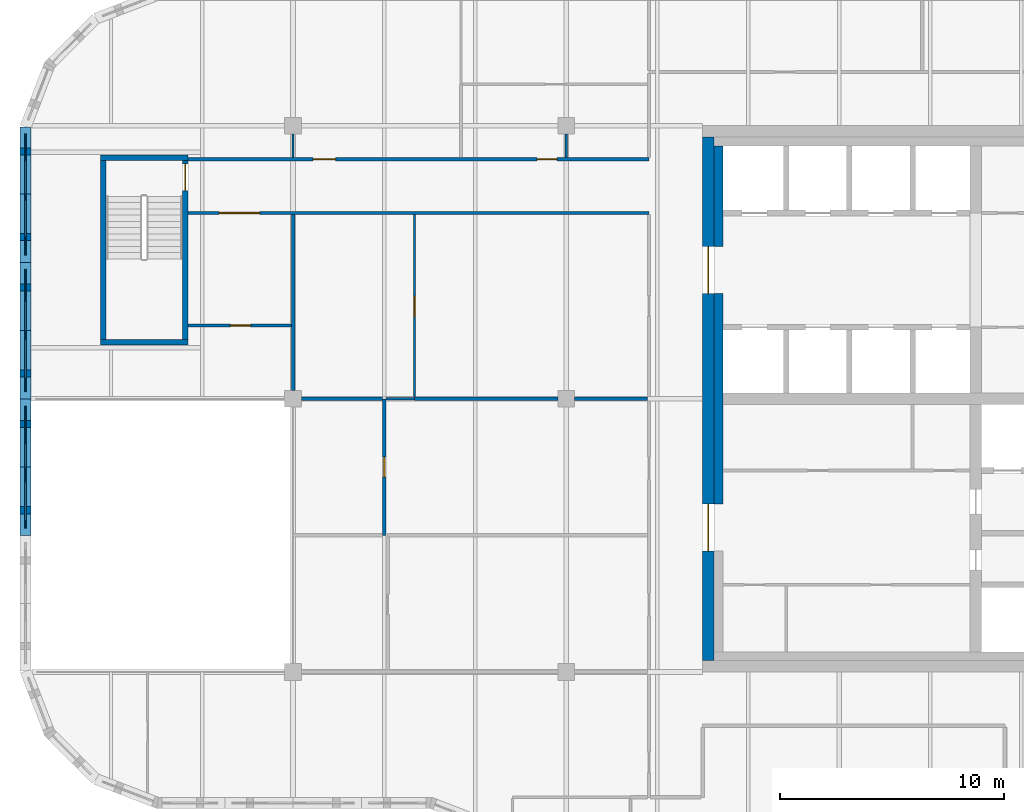
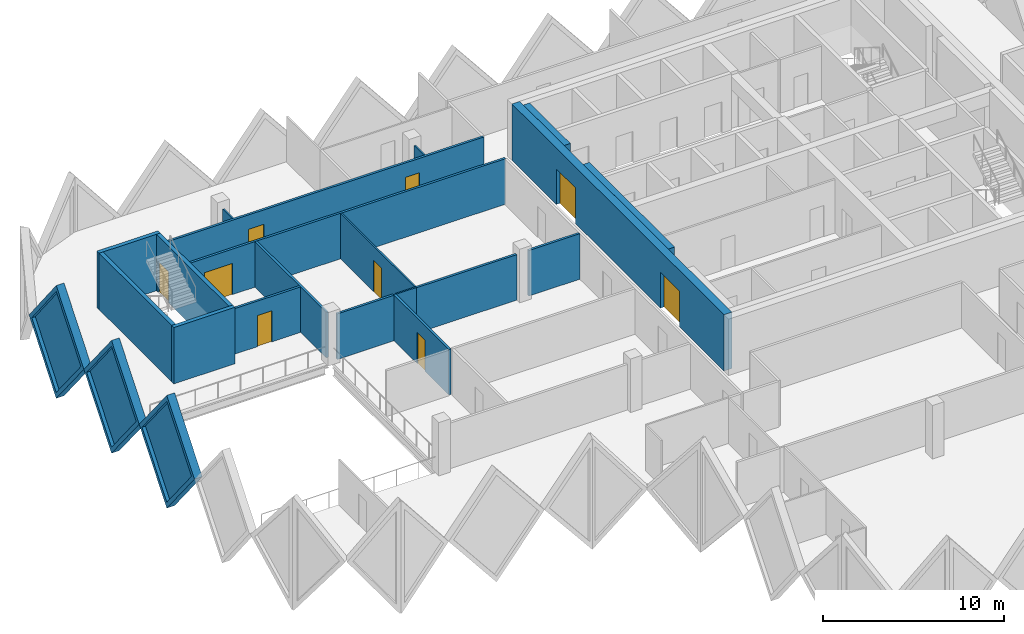
# One storey, part 7 of 12: 22 walls, 9 doors, 3 plates, 12 openings.
"""IFC4 building model written with IfcOpenShell, lengths in metres."""

from ifc_helpers import new_model, si_unit, direction, frame, frame_2d, origin, place, context, subcontext, project, spatial, polyline, rectangle, outline, extrude, faceted_brep, source, transform, mapped, material, layer, layer_set, type_object, element, fill, save


model = new_model("IFC4")

# Units and contexts
model_context = context("Model", 3, precision=1e-05, world=origin(), true_north=direction((0.0, 1.0)))
body_context = subcontext(model_context, "Body", "Model", "MODEL_VIEW")
ifc_project = project(units=[si_unit("LENGTHUNIT", "METRE"), si_unit("AREAUNIT", "SQUARE_METRE"), si_unit("VOLUMEUNIT", "CUBIC_METRE"), si_unit("PLANEANGLEUNIT", "RADIAN"), si_unit("MASSUNIT", "GRAM", prefix="KILO")], contexts=[model_context])

# Site, building, storey
site_placement = place(None, origin())
site = spatial("IfcSite", under=ifc_project, at=site_placement, CompositionType="ELEMENT")
building_placement = place(site_placement, origin())
building = spatial("IfcBuilding", under=site, at=building_placement, Name="Tessera Gate Towers", CompositionType="ELEMENT")
storey_placement = place(building_placement, frame((0.0, 0.0, 213.10009765625)))
storey = spatial("IfcBuildingStorey", under=building, at=storey_placement, Name="L53", CompositionType="ELEMENT", Elevation=213.10009765625)

# Walls
ifc_material_1 = material(Name="Concrete C40/50", Category="concrete")
ifc_layer_1 = layer(ifc_material_1, 0.25)
ifc_layer_set_1 = layer_set([ifc_layer_1], Name="CORE ENCLOSURE WALL 250")
wall_type_1 = type_object("IfcWallType", Name="CORE ENCLOSURE WALL 250", PredefinedType="SOLIDWALL", material=ifc_layer_set_1)
wall_1_placement = place(storey_placement, frame((7.5, 39.125, 0.0), z_axis=(0.0, 0.0, 1.0), x_axis=(-1.0, 0.0, 0.0)))
element("IfcWall", 1, at=wall_1_placement, inside=storey, type_object=wall_type_1, Name="L53 ST3 enclosure wall", PredefinedType="SOLIDWALL", context=body_context, shape_type="SweptSolid", body=[
    extrude(rectangle(XDim=3.89990234375, YDim=0.25, at=frame_2d((1.949951171875, 0.0))), origin(), (0.0, 0.0, 1.0), 3.7998046875),
])
wall_2_placement = place(storey_placement, frame((3.72509765625, 39.25, 0.0), z_axis=(0.0, 0.0, 1.0), x_axis=(0.0, 1.0, 0.0)))
element("IfcWall", 2, at=wall_2_placement, inside=storey, type_object=wall_type_1, Name="L53 ST3 enclosure wall", PredefinedType="SOLIDWALL", context=body_context, shape_type="SweptSolid", body=[
    extrude(rectangle(XDim=8.0, YDim=0.25, at=frame_2d((4.0, 0.0))), origin(), (0.0, 0.0, 1.0), 3.7998046875),
])
wall_3_placement = place(storey_placement, frame((3.60009765625, 47.375, 0.0), z_axis=(0.0, 0.0, 1.0), x_axis=(1.0, 0.0, 0.0)))
element("IfcWall", 3, at=wall_3_placement, inside=storey, type_object=wall_type_1, Name="L53 ST3 enclosure wall", PredefinedType="SOLIDWALL", context=body_context, shape_type="SweptSolid", body=[
    extrude(rectangle(XDim=3.89990234375, YDim=0.25, at=frame_2d((1.949951171875, 0.0))), origin(), (0.0, 0.0, 1.0), 3.7998046875),
])

# Wall, opening, door
wall_4_placement = place(storey_placement, frame((7.375, 47.25, 0.0), z_axis=(0.0, 0.0, 1.0), x_axis=(0.0, -1.0, 0.0)))
wall_4 = element("IfcWall", 4, at=wall_4_placement, inside=storey, type_object=wall_type_1, Name="L53 ST3 enclosure wall", PredefinedType="SOLIDWALL", context=body_context, shape_type="SweptSolid", body=[
    extrude(rectangle(XDim=8.0, YDim=0.25, at=frame_2d((4.0, 0.0))), origin(), (0.0, 0.0, 1.0), 3.7998046875),
])
shared_shape_1 = source(origin(), body_context, "Body", "SweptSolid", [
    extrude(rectangle(XDim=1.199951171875, YDim=2.10009765625, at=frame_2d((0.60009765625, 1.050048828125))), frame((0.0, 0.135009765625, 0.0), z_axis=(0.0, -1.0, 0.0), x_axis=(1.0, 0.0, 0.0)), (0.0, 0.0, 1.0), 0.27001953125),
])
opening_1_placement = place(wall_4_placement, frame((0.14990234375, 0.0, 0.0)))
opening_1 = element("IfcOpeningElement", 5, at=opening_1_placement, cuts=wall_4, Name="Opening SD-ST3-1", PredefinedType="OPENING", context=body_context, shape_type="MappedRepresentation", body=[
    mapped(shared_shape_1, transform((0.0, 0.0, 0.0), scale=1.0)),
])
ifc_material_2 = material(Name="Hollow steel fire door", Category="steel")
door_type_1 = type_object("IfcDoorType", Name="CORE DOOR SD 1200x2100", OperationType="NOTDEFINED", PredefinedType="DOOR", material=ifc_material_2)
shared_shape_2 = source(origin(), body_context, "Body", "SweptSolid", [
    extrude(rectangle(XDim=1.199951171875, YDim=2.10009765625, at=frame_2d((0.60009765625, 1.050048828125))), frame((0.0, 0.02490234375, 0.0), z_axis=(0.0, -1.0, 0.0), x_axis=(1.0, 0.0, 0.0)), (0.0, 0.0, 1.0), 0.050048828125),
])
door_1_placement = place(opening_1_placement, origin())
door_1 = element("IfcDoor", 6, at=door_1_placement, inside=storey, type_object=door_type_1, Name="Stair door", OperationType="SINGLE_SWING_LEFT", OverallHeight=2.10009765625, OverallWidth=1.199951171875, PredefinedType="DOOR", context=body_context, shape_type="MappedRepresentation", body=[
    mapped(shared_shape_2, transform((0.0, 0.0, 0.0), scale=1.0)),
])
fill(opening_1, door_1)

# Wall, openings, doors
ifc_material_3 = material(Name="Concrete C50/60", Category="concrete")
ifc_layer_2 = layer(ifc_material_3, 0.5)
ifc_layer_set_2 = layer_set([ifc_layer_2], Name="CORE SHEAR WALL 500 C50/60")
wall_type_2 = type_object("IfcWallType", Name="CORE SHEAR WALL 500 C50/60", PredefinedType="SHEAR", material=ifc_layer_set_2)
wall_5_placement = place(storey_placement, frame((30.75, 24.89990234375, 0.0), z_axis=(0.0, 0.0, 1.0), x_axis=(0.0, 1.0, 0.0)))
wall_5 = element("IfcWall", 7, at=wall_5_placement, inside=storey, type_object=wall_type_2, Name="Core wall W L53", PredefinedType="SHEAR", context=body_context, shape_type="SweptSolid", body=[
    extrude(rectangle(XDim=23.400146484375, YDim=0.5, at=frame_2d((11.7001953125, 0.0))), origin(), (0.0, 0.0, 1.0), 3.7998046875),
])
shared_shape_3 = source(origin(), body_context, "Body", "SweptSolid", [
    extrude(rectangle(XDim=2.10009765625, YDim=2.39990234375, at=frame_2d((1.050048828125, 1.199951171875))), frame((0.0, 0.260009765625, 0.0), z_axis=(0.0, -1.0, 0.0), x_axis=(1.0, 0.0, 0.0)), (0.0, 0.0, 1.0), 0.52001953125),
])
opening_2_placement = place(wall_5_placement, frame((4.89990234375, 0.0, 0.0)))
opening_2 = element("IfcOpeningElement", 8, at=opening_2_placement, cuts=wall_5, Name="Opening DD-T1-32-02", PredefinedType="OPENING", context=body_context, shape_type="MappedRepresentation", body=[
    mapped(shared_shape_3, transform((0.0, 0.0, 0.0), scale=1.0)),
])
opening_3_placement = place(wall_5_placement, frame((16.39990234375, 0.0, 0.0)))
opening_3 = element("IfcOpeningElement", 9, at=opening_3_placement, cuts=wall_5, Name="Opening DD-T1-32-03", PredefinedType="OPENING", context=body_context, shape_type="MappedRepresentation", body=[
    mapped(shared_shape_3, transform((0.0, 0.0, 0.0), scale=1.0)),
])
ifc_material_4 = material(Name="Hollow steel fire door", Category="steel")
door_type_2 = type_object("IfcDoorType", Name="CORE DOOR DD 2100x2400", OperationType="NOTDEFINED", PredefinedType="DOOR", material=ifc_material_4)
shared_shape_4 = source(origin(), body_context, "Body", "SweptSolid", [
    extrude(rectangle(XDim=2.10009765625, YDim=2.39990234375, at=frame_2d((1.050048828125, 1.199951171875))), frame((0.0, 0.02490234375, 0.0), z_axis=(0.0, -1.0, 0.0), x_axis=(1.0, 0.0, 0.0)), (0.0, 0.0, 1.0), 0.050048828125),
])
door_2_placement = place(opening_2_placement, origin())
door_2 = element("IfcDoor", 10, at=door_2_placement, inside=storey, type_object=door_type_2, Name="Core entrance door", OperationType="DOUBLE_DOOR_SINGLE_SWING", OverallHeight=2.39990234375, OverallWidth=2.10009765625, PredefinedType="DOOR", context=body_context, shape_type="MappedRepresentation", body=[
    mapped(shared_shape_4, transform((0.0, 0.0, 0.0), scale=1.0)),
])
fill(opening_2, door_2)
door_3_placement = place(opening_3_placement, origin())
door_3 = element("IfcDoor", 11, at=door_3_placement, inside=storey, type_object=door_type_2, Name="Core entrance door", OperationType="DOUBLE_DOOR_SINGLE_SWING", OverallHeight=2.39990234375, OverallWidth=2.10009765625, PredefinedType="DOOR", context=body_context, shape_type="MappedRepresentation", body=[
    mapped(shared_shape_4, transform((0.0, 0.0, 0.0), scale=1.0)),
])
fill(opening_3, door_3)

# Walls
ifc_material_5 = material(Name="Concrete C50/60", Category="concrete")
ifc_layer_3 = layer(ifc_material_5, 0.39990234375)
ifc_layer_set_3 = layer_set([ifc_layer_3], Name="CORE WALL THICKENING 400")
wall_type_3 = type_object("IfcWallType", Name="CORE WALL THICKENING 400", PredefinedType="SOLIDWALL", material=ifc_layer_set_3)
wall_6_placement = place(storey_placement, frame((31.199951171875, 31.89990234375, 0.0), z_axis=(0.0, 0.0, 1.0), x_axis=(0.0, 1.0, 0.0)))
element("IfcWall", 12, at=wall_6_placement, inside=storey, type_object=wall_type_3, Name="Core wall thickening W L53", PredefinedType="SOLIDWALL", context=body_context, shape_type="SweptSolid", body=[
    extrude(rectangle(XDim=9.400146484375, YDim=0.39990234375, at=frame_2d((4.7001953125, 0.0))), origin(), (0.0, 0.0, 1.0), 3.7998046875),
])
wall_7_placement = place(storey_placement, frame((31.199951171875, 43.39990234375, 0.0), z_axis=(0.0, 0.0, 1.0), x_axis=(0.0, 1.0, 0.0)))
element("IfcWall", 13, at=wall_7_placement, inside=storey, type_object=wall_type_3, Name="Core wall thickening W L53", PredefinedType="SOLIDWALL", context=body_context, shape_type="SweptSolid", body=[
    extrude(rectangle(XDim=4.5, YDim=0.39990234375, at=frame_2d((2.25, 0.0))), origin(), (0.0, 0.0, 1.0), 3.7998046875),
])

# Wall, opening, door
ifc_material_6 = material(Name="Gypsum board on steel studs, mineral wool", Category="steel")
ifc_layer_4 = layer(ifc_material_6, 0.14990234375)
ifc_layer_set_4 = layer_set([ifc_layer_4], Name="CORRIDOR WALL 150")
wall_type_4 = type_object("IfcWallType", Name="CORRIDOR WALL 150", PredefinedType="PARTITIONING", material=ifc_layer_set_4)
wall_8_placement = place(storey_placement, frame((28.10009765625, 44.89990234375, 0.0), z_axis=(0.0, 0.0, 1.0), x_axis=(-1.0, 0.0, 0.0)))
wall_8 = element("IfcWall", 14, at=wall_8_placement, inside=storey, type_object=wall_type_4, Name="T1-L53-PW-045", PredefinedType="PARTITIONING", context=body_context, shape_type="SweptSolid", body=[
    extrude(rectangle(XDim=20.60009765625, YDim=0.14990234375, at=frame_2d((10.300048828125, 0.0))), origin(), (0.0, 0.0, 1.0), 3.06689453125),
])
shared_shape_5 = source(origin(), body_context, "Body", "SweptSolid", [
    extrude(rectangle(XDim=1.800048828125, YDim=2.10009765625, at=frame_2d((0.89990234375, 1.050048828125))), frame((0.0, 0.0849609375, 0.0), z_axis=(0.0, -1.0, 0.0), x_axis=(1.0, 0.0, 0.0)), (0.0, 0.0, 1.0), 0.169921875),
])
opening_4_placement = place(wall_8_placement, frame((17.39990234375, 0.0, 0.0)))
opening_4 = element("IfcOpeningElement", 15, at=opening_4_placement, cuts=wall_8, Name="Opening D2180FD60-A19-01", PredefinedType="OPENING", context=body_context, shape_type="MappedRepresentation", body=[
    mapped(shared_shape_5, transform((0.0, 0.0, 0.0), scale=1.0)),
])
ifc_material_7 = material(Name="Timber door leaf in steel frame", Category="steel")
door_type_3 = type_object("IfcDoorType", Name="TENANCY ENTRANCE DOUBLE DOOR 1800 FD60", OperationType="NOTDEFINED", PredefinedType="DOOR", material=ifc_material_7)
shared_shape_6 = source(origin(), body_context, "Body", "SweptSolid", [
    extrude(rectangle(XDim=1.800048828125, YDim=2.10009765625, at=frame_2d((0.89990234375, 1.050048828125))), frame((0.0, 0.02490234375, 0.0), z_axis=(0.0, -1.0, 0.0), x_axis=(1.0, 0.0, 0.0)), (0.0, 0.0, 1.0), 0.050048828125),
])
door_4_placement = place(opening_4_placement, origin())
door_4 = element("IfcDoor", 16, at=door_4_placement, inside=storey, type_object=door_type_3, Name="T1-L53-PD-006", OperationType="DOUBLE_DOOR_SINGLE_SWING", OverallHeight=2.10009765625, OverallWidth=1.800048828125, PredefinedType="DOOR", context=body_context, shape_type="MappedRepresentation", body=[
    mapped(shared_shape_6, transform((0.0, 0.0, 0.0), scale=1.0)),
])
fill(opening_4, door_4)

# Wall, openings, doors
wall_9_placement = place(storey_placement, frame((7.5, 47.300048828125, 0.0), z_axis=(0.0, 0.0, 1.0), x_axis=(1.0, 0.0, 0.0)))
wall_9 = element("IfcWall", 17, at=wall_9_placement, inside=storey, type_object=wall_type_4, Name="T1-L53-PW-046", PredefinedType="PARTITIONING", context=body_context, shape_type="SweptSolid", body=[
    extrude(rectangle(XDim=20.60009765625, YDim=0.14990234375, at=frame_2d((10.300048828125, 0.0))), origin(), (0.0, 0.0, 1.0), 3.06689453125),
])
shared_shape_7 = source(origin(), body_context, "Body", "SweptSolid", [
    extrude(rectangle(XDim=0.89990234375, YDim=2.10009765625, at=frame_2d((0.449951171875, 1.050048828125))), frame((0.0, 0.0849609375, 0.0), z_axis=(0.0, -1.0, 0.0), x_axis=(1.0, 0.0, 0.0)), (0.0, 0.0, 1.0), 0.169921875),
])
opening_5_placement = place(wall_9_placement, frame((15.60107421875, 0.0, 0.0)))
opening_5 = element("IfcOpeningElement", 18, at=opening_5_placement, cuts=wall_9, Name="Opening D890FD60-A19-05", PredefinedType="OPENING", context=body_context, shape_type="MappedRepresentation", body=[
    mapped(shared_shape_7, transform((0.0, 0.0, 0.0), scale=1.0)),
])
shared_shape_8 = source(origin(), body_context, "Body", "SweptSolid", [
    extrude(rectangle(XDim=1.0, YDim=2.10009765625, at=frame_2d((0.5, 1.050048828125))), frame((0.0, 0.0849609375, 0.0), z_axis=(0.0, -1.0, 0.0), x_axis=(1.0, 0.0, 0.0)), (0.0, 0.0, 1.0), 0.169921875),
])
opening_6_placement = place(wall_9_placement, frame((5.60009765625, 0.0, 0.0)))
opening_6 = element("IfcOpeningElement", 19, at=opening_6_placement, cuts=wall_9, Name="Opening D2100FD60-A19-03", PredefinedType="OPENING", context=body_context, shape_type="MappedRepresentation", body=[
    mapped(shared_shape_8, transform((0.0, 0.0, 0.0), scale=1.0)),
])
ifc_material_8 = material(Name="Timber door leaf in steel frame", Category="steel")
door_type_4 = type_object("IfcDoorType", Name="CORRIDOR DOOR 900 FD60", OperationType="NOTDEFINED", PredefinedType="DOOR", material=ifc_material_8)
shared_shape_9 = source(origin(), body_context, "Body", "SweptSolid", [
    extrude(rectangle(XDim=0.89990234375, YDim=2.10009765625, at=frame_2d((0.449951171875, 1.050048828125))), frame((0.0, 0.02490234375, 0.0), z_axis=(0.0, -1.0, 0.0), x_axis=(1.0, 0.0, 0.0)), (0.0, 0.0, 1.0), 0.050048828125),
])
door_5_placement = place(opening_5_placement, origin())
door_5 = element("IfcDoor", 20, at=door_5_placement, inside=storey, type_object=door_type_4, Name="T1-L53-PD-020", OperationType="SINGLE_SWING_RIGHT", OverallHeight=2.10009765625, OverallWidth=0.89990234375, PredefinedType="DOOR", context=body_context, shape_type="MappedRepresentation", body=[
    mapped(shared_shape_9, transform((0.0, 0.0, 0.0), scale=1.0)),
])
fill(opening_5, door_5)
ifc_material_9 = material(Name="Timber door leaf in steel frame", Category="steel")
door_type_5 = type_object("IfcDoorType", Name="TENANCY ENTRANCE DOOR 1000 FD60", OperationType="NOTDEFINED", PredefinedType="DOOR", material=ifc_material_9)
shared_shape_10 = source(origin(), body_context, "Body", "SweptSolid", [
    extrude(rectangle(XDim=1.0, YDim=2.10009765625, at=frame_2d((0.5, 1.050048828125))), frame((0.0, 0.02490234375, 0.0), z_axis=(0.0, -1.0, 0.0), x_axis=(1.0, 0.0, 0.0)), (0.0, 0.0, 1.0), 0.050048828125),
])
door_6_placement = place(opening_6_placement, origin())
door_6 = element("IfcDoor", 21, at=door_6_placement, inside=storey, type_object=door_type_5, Name="T1-L53-PD-025", OperationType="SINGLE_SWING_LEFT", OverallHeight=2.10009765625, OverallWidth=1.0, PredefinedType="DOOR", context=body_context, shape_type="MappedRepresentation", body=[
    mapped(shared_shape_10, transform((0.0, 0.0, 0.0), scale=1.0)),
])
fill(opening_6, door_6)

# Wall
ifc_material_10 = material(Name="Glass", Category="glass")
ifc_layer_5 = layer(ifc_material_10, 0.10009765625)
ifc_layer_set_5 = layer_set([ifc_layer_5], Name="GLAZED PARTITION 100")
wall_type_5 = type_object("IfcWallType", Name="GLAZED PARTITION 100", PredefinedType="PARTITIONING", material=ifc_layer_set_5)
wall_10_placement = place(storey_placement, frame((16.35107421875, 36.60009765625, 0.0), z_axis=(0.0, 0.0, 1.0), x_axis=(1.0, 0.0, 0.0)))
element("IfcWall", 22, at=wall_10_placement, inside=storey, type_object=wall_type_5, Name="T1-L53-PW-039", PredefinedType="PARTITIONING", context=body_context, shape_type="SweptSolid", body=[
    extrude(rectangle(XDim=1.27294921875, YDim=0.10009765625, at=frame_2d((0.636474609375, 0.0))), origin(), (0.0, 0.0, 1.0), 3.06689453125),
])

# Wall, opening, door
wall_11_placement = place(storey_placement, frame((17.625, 36.676025390625, 0.0), z_axis=(0.0, 0.0, 1.0), x_axis=(0.0, 1.0, 0.0)))
wall_11 = element("IfcWall", 23, at=wall_11_placement, inside=storey, type_object=wall_type_5, Name="T1-L53-PW-042", PredefinedType="PARTITIONING", context=body_context, shape_type="SweptSolid", body=[
    extrude(rectangle(XDim=8.14794921875, YDim=0.10009765625, at=frame_2d((4.073974609375, 0.0))), origin(), (0.0, 0.0, 1.0), 3.06689453125),
])
shared_shape_11 = source(origin(), body_context, "Body", "SweptSolid", [
    extrude(rectangle(XDim=0.89990234375, YDim=2.10009765625, at=frame_2d((0.449951171875, 1.050048828125))), frame((0.0, 0.06005859375, 0.0), z_axis=(0.0, -1.0, 0.0), x_axis=(1.0, 0.0, 0.0)), (0.0, 0.0, 1.0), 0.1201171875),
])
opening_7_placement = place(wall_11_placement, frame((3.60009765625, 0.0, 0.0)))
opening_7 = element("IfcOpeningElement", 24, at=opening_7_placement, cuts=wall_11, Name="Opening D690-A19-06", PredefinedType="OPENING", context=body_context, shape_type="MappedRepresentation", body=[
    mapped(shared_shape_11, transform((0.0, 0.0, 0.0), scale=1.0)),
])
ifc_material_11 = material(Name="Glass in aluminium frame", Category="aluminium")
door_type_6 = type_object("IfcDoorType", Name="GLAZED DOOR 900 NOT RATED", OperationType="NOTDEFINED", PredefinedType="DOOR", material=ifc_material_11)
door_7_placement = place(opening_7_placement, origin())
door_7 = element("IfcDoor", 25, at=door_7_placement, inside=storey, type_object=door_type_6, Name="T1-L53-PD-017", OperationType="SINGLE_SWING_LEFT", OverallHeight=2.10009765625, OverallWidth=0.89990234375, PredefinedType="DOOR", context=body_context, shape_type="MappedRepresentation", body=[
    mapped(shared_shape_9, transform((0.0, 0.0, 0.0), scale=1.0)),
])
fill(opening_7, door_7)

# Walls
ifc_material_12 = material(Name="Gypsum board on steel studs", Category="steel")
ifc_layer_6 = layer(ifc_material_12, 0.10009765625)
ifc_layer_set_6 = layer_set([ifc_layer_6], Name="PARTITION 100")
wall_type_6 = type_object("IfcWallType", Name="PARTITION 100", PredefinedType="PARTITIONING", material=ifc_layer_set_6)
for number, where, z_axis, x_axis, name in (
    (26, (12.199951171875, 48.425048828125, 0.0), (0.0, 0.0, 1.0), (0.0, -1.0, 0.0), "T1-L53-PW-049"),
    (27, (24.39990234375, 48.425048828125, 0.0), (0.0, 0.0, 1.0), (0.0, -1.0, 0.0), "T1-L53-PW-050"),
):
    element("IfcWall", number, at=place(storey_placement, frame(where, z_axis=z_axis, x_axis=x_axis)), inside=storey, type_object=wall_type_6, Name=name, PredefinedType="PARTITIONING", context=body_context, shape_type="SweptSolid", body=[
        extrude(rectangle(XDim=1.050048828125, YDim=0.10009765625, at=frame_2d((0.52490234375, 0.0))), origin(), (0.0, 0.0, 1.0), 3.06689453125),
    ])

# Wall, opening, door
ifc_material_13 = material(Name="Gypsum board on steel studs, mineral wool", Category="steel")
ifc_layer_7 = layer(ifc_material_13, 0.14990234375)
ifc_layer_set_7 = layer_set([ifc_layer_7], Name="TENANCY WALL 150")
wall_type_7 = type_object("IfcWallType", Name="TENANCY WALL 150", PredefinedType="PARTITIONING", material=ifc_layer_set_7)
wall_12_placement = place(storey_placement, frame((16.27490234375, 30.5, 0.0), z_axis=(0.0, 0.0, 1.0), x_axis=(0.0, 1.0, 0.0)))
wall_12 = element("IfcWall", 28, at=wall_12_placement, inside=storey, type_object=wall_type_7, Name="T1-L53-PW-036", PredefinedType="PARTITIONING", context=body_context, shape_type="SweptSolid", body=[
    extrude(rectangle(XDim=6.10009765625, YDim=0.14990234375, at=frame_2d((3.050048828125, 0.0))), origin(), (0.0, 0.0, 1.0), 3.06689453125),
])
opening_8_placement = place(wall_12_placement, frame((2.60009765625, 0.0, 0.0)))
opening_8 = element("IfcOpeningElement", 29, at=opening_8_placement, cuts=wall_12, Name="Opening D190-A19-05", PredefinedType="OPENING", context=body_context, shape_type="MappedRepresentation", body=[
    mapped(shared_shape_7, transform((0.0, 0.0, 0.0), scale=1.0)),
])
ifc_material_14 = material(Name="Timber door leaf in steel frame", Category="steel")
door_type_7 = type_object("IfcDoorType", Name="INTERNAL DOOR 900 NOT RATED", OperationType="NOTDEFINED", PredefinedType="DOOR", material=ifc_material_14)
door_8_placement = place(opening_8_placement, origin())
door_8 = element("IfcDoor", 30, at=door_8_placement, inside=storey, type_object=door_type_7, Name="T1-L53-PD-014", OperationType="SINGLE_SWING_LEFT", OverallHeight=2.10009765625, OverallWidth=0.89990234375, PredefinedType="DOOR", context=body_context, shape_type="MappedRepresentation", body=[
    mapped(shared_shape_9, transform((0.0, 0.0, 0.0), scale=1.0)),
])
fill(opening_8, door_8)

# Walls
wall_13_placement = place(storey_placement, frame((12.575927734375, 36.60009765625, 0.0), z_axis=(0.0, 0.0, 1.0), x_axis=(1.0, 0.0, 0.0)))
element("IfcWall", 31, at=wall_13_placement, inside=storey, type_object=wall_type_7, Name="T1-L53-PW-038", PredefinedType="PARTITIONING", context=body_context, shape_type="SweptSolid", body=[
    extrude(rectangle(XDim=3.623046875, YDim=0.14990234375, at=frame_2d((1.8115234375, 0.0))), origin(), (0.0, 0.0, 1.0), 3.06689453125),
])
wall_14_placement = place(storey_placement, frame((17.625, 36.60009765625, 0.0), z_axis=(0.0, 0.0, 1.0), x_axis=(1.0, 0.0, 0.0)))
element("IfcWall", 32, at=wall_14_placement, inside=storey, type_object=wall_type_7, Name="T1-L53-PW-040", PredefinedType="PARTITIONING", context=body_context, shape_type="SweptSolid", body=[
    extrude(rectangle(XDim=6.39892578125, YDim=0.14990234375, at=frame_2d((3.199462890625, 0.0))), origin(), (0.0, 0.0, 1.0), 3.06689453125),
])
wall_15_placement = place(storey_placement, frame((24.77587890625, 36.60009765625, 0.0), z_axis=(0.0, 0.0, 1.0), x_axis=(1.0, 0.0, 0.0)))
element("IfcWall", 33, at=wall_15_placement, inside=storey, type_object=wall_type_7, Name="T1-L53-PW-041", PredefinedType="PARTITIONING", context=body_context, shape_type="SweptSolid", body=[
    extrude(rectangle(XDim=3.248046875, YDim=0.14990234375, at=frame_2d((1.6240234375, 0.0))), origin(), (0.0, 0.0, 1.0), 3.06689453125),
])
wall_16_placement = place(storey_placement, frame((12.199951171875, 36.97607421875, 0.0), z_axis=(0.0, 0.0, 1.0), x_axis=(0.0, 1.0, 0.0)))
element("IfcWall", 34, at=wall_16_placement, inside=storey, type_object=wall_type_7, Name="T1-L53-PW-043", PredefinedType="PARTITIONING", context=body_context, shape_type="SweptSolid", body=[
    extrude(rectangle(XDim=7.847900390625, YDim=0.14990234375, at=frame_2d((3.923828125, 0.0))), origin(), (0.0, 0.0, 1.0), 3.06689453125),
])

# Wall, opening, door
wall_17_placement = place(storey_placement, frame((12.1240234375, 39.875, 0.0), z_axis=(0.0, 0.0, 1.0), x_axis=(-1.0, 0.0, 0.0)))
wall_17 = element("IfcWall", 35, at=wall_17_placement, inside=storey, type_object=wall_type_7, Name="T1-L53-PW-044", PredefinedType="PARTITIONING", context=body_context, shape_type="SweptSolid", body=[
    extrude(rectangle(XDim=4.6240234375, YDim=0.14990234375, at=frame_2d((2.31201171875, 0.0))), origin(), (0.0, 0.0, 1.0), 3.06689453125),
])
opening_9_placement = place(wall_17_placement, frame((1.823974609375, 0.0, 0.0)))
opening_9 = element("IfcOpeningElement", 36, at=opening_9_placement, cuts=wall_17, Name="Opening D190-A19-03", PredefinedType="OPENING", context=body_context, shape_type="MappedRepresentation", body=[
    mapped(shared_shape_7, transform((0.0, 0.0, 0.0), scale=1.0)),
])
door_9_placement = place(opening_9_placement, origin())
door_9 = element("IfcDoor", 37, at=door_9_placement, inside=storey, type_object=door_type_7, Name="T1-L53-PD-005", OperationType="SINGLE_SWING_RIGHT", OverallHeight=2.10009765625, OverallWidth=0.89990234375, PredefinedType="DOOR", context=body_context, shape_type="MappedRepresentation", body=[
    mapped(shared_shape_9, transform((0.0, 0.0, 0.0), scale=1.0)),
])
fill(opening_9, door_9)

# Wall, opening, plate
ifc_material_15 = material(Name="Precast concrete C60/75 white", Category="concrete")
ifc_layer_8 = layer(ifc_material_15, 0.5)
ifc_layer_set_8 = layer_set([ifc_layer_8], Name="TS1 tessera")
wall_type_8 = type_object("IfcWallType", Name="TS1 tessera", PredefinedType="SOLIDWALL", material=ifc_layer_set_8)
shared_shape_12 = source(origin(), body_context, "Body", "Brep", [
    faceted_brep([(3.00341796875, -0.25, 0.0), (6.053466796875, -0.25, 3.800048828125), (3.00341796875, -0.25, 7.599853515625), (0.0, -0.25, 3.800048828125), (0.046630859375, 0.25, 3.85888671875), (3.00341796875, 0.25, 7.599853515625), (6.053466796875, 0.25, 3.800048828125), (3.00341796875, 0.25, 0.0), (0.046630859375, 0.25, 3.7412109375), (0.0, 0.0, 3.800048828125)], [[[0, 1, 2, 3]], [[4, 5, 6, 7, 8]], [[7, 6, 1, 0]], [[6, 5, 2, 1]], [[5, 4, 9, 3, 2]], [[8, 7, 0, 3, 9]], [[8, 9, 4]]]),
])
wall_18_placement = place(storey_placement, frame((0.25, 48.75341796875, -3.800048828125), z_axis=(0.0, 0.0, 1.0), x_axis=(0.0, -1.0, 0.0)))
wall_18 = element("IfcWall", 38, at=wall_18_placement, inside=storey, type_object=wall_type_8, Name="Precast tessera T1 TS1-0937", PredefinedType="SOLIDWALL", context=body_context, shape_type="MappedRepresentation", body=[
    mapped(shared_shape_12, transform((0.0, 0.0, 0.0), scale=1.0)),
])
shared_shape_13 = source(origin(), body_context, "Body", "SweptSolid", [
    extrude(outline(polyline([(3.0048828125, 0.401123046875), (5.73291015625, 3.800048828125), (3.0048828125, 7.19873046875), (0.318603515625, 3.800048828125), (3.0048828125, 0.401123046875)])), frame((0.0, 0.260009765625, 0.0), z_axis=(0.0, -1.0, 0.0), x_axis=(1.0, 0.0, 0.0)), (0.0, 0.0, 1.0), 0.52001953125),
])
opening_10_placement = place(wall_18_placement, origin())
opening_10 = element("IfcOpeningElement", 39, at=opening_10_placement, cuts=wall_18, Name="Opening T1-PL2-1911", PredefinedType="OPENING", context=body_context, shape_type="MappedRepresentation", body=[
    mapped(shared_shape_13, transform((0.0, 0.0, 0.0), scale=1.0)),
])
ifc_material_16 = material(Name="Low-e laminated glass", Category="glass")
ifc_layer_9 = layer(ifc_material_16, 0.06005859375)
ifc_layer_set_9 = layer_set([ifc_layer_9], Name="PL2 rhombic pane")
plate_type = type_object("IfcPlateType", Name="PL2 rhombic pane", PredefinedType="SHEET", material=ifc_layer_set_9)
shared_shape_14 = source(origin(), body_context, "Body", "SweptSolid", [
    extrude(outline(polyline([(3.0048828125, 0.401123046875), (5.73291015625, 3.800048828125), (3.0048828125, 7.19873046875), (0.318603515625, 3.800048828125), (3.0048828125, 0.401123046875)])), frame((0.0, 0.030029296875, 0.0), z_axis=(0.0, -1.0, 0.0), x_axis=(1.0, 0.0, 0.0)), (0.0, 0.0, 1.0), 0.06005859375),
])
plate_1_placement = place(opening_10_placement, origin())
plate_1 = element("IfcPlate", 40, at=plate_1_placement, inside=storey, type_object=plate_type, Name="Glass pane T1 PL2-1911", PredefinedType="SHEET", context=body_context, shape_type="MappedRepresentation", body=[
    mapped(shared_shape_14, transform((0.0, 0.0, 0.0), scale=1.0)),
])
fill(opening_10, plate_1)

shared_shape_15 = source(origin(), body_context, "Body", "Brep", [
    faceted_brep([(3.050048828125, -0.25, 0.0), (6.099853515625, -0.25, 3.7998046875), (6.099853515625, -0.25, 3.80029296875), (3.050048828125, -0.25, 7.599853515625), (0.0, -0.25, 3.800048828125), (0.0, 0.25, 3.800048828125), (3.050048828125, 0.25, 7.599853515625), (6.099853515625, 0.25, 3.80029296875), (6.099853515625, 0.25, 3.7998046875), (3.050048828125, 0.25, 0.0)], [[[0, 1, 2, 3, 4]], [[5, 6, 7, 8, 9]], [[9, 8, 1, 0]], [[7, 6, 3, 2]], [[6, 5, 4, 3]], [[5, 9, 0, 4]], [[1, 8, 7, 2]]]),
])
wall_19_placement = place(storey_placement, frame((0.25, 42.699951171875, -3.800048828125), z_axis=(0.0, 0.0, 1.0), x_axis=(0.0, -1.0, 0.0)))
wall_19 = element("IfcWall", 41, at=wall_19_placement, inside=storey, type_object=wall_type_8, Name="Precast tessera T1 TS1-0938", PredefinedType="SOLIDWALL", context=body_context, shape_type="MappedRepresentation", body=[
    mapped(shared_shape_15, transform((0.0, 0.0, 0.0), scale=1.0)),
])
shared_shape_16 = source(origin(), body_context, "Body", "SweptSolid", [
    extrude(outline(polyline([(3.050048828125, 0.3994140625), (5.779541015625, 3.800048828125), (3.050048828125, 7.200439453125), (0.320556640625, 3.800048828125), (3.050048828125, 0.3994140625)])), frame((0.0, 0.260009765625, 0.0), z_axis=(0.0, -1.0, 0.0), x_axis=(1.0, 0.0, 0.0)), (0.0, 0.0, 1.0), 0.52001953125),
])
opening_11_placement = place(wall_19_placement, origin())
opening_11 = element("IfcOpeningElement", 42, at=opening_11_placement, cuts=wall_19, Name="Opening T1-PL2-1912", PredefinedType="OPENING", context=body_context, shape_type="MappedRepresentation", body=[
    mapped(shared_shape_16, transform((0.0, 0.0, 0.0), scale=1.0)),
])
shared_shape_17 = source(origin(), body_context, "Body", "SweptSolid", [
    extrude(outline(polyline([(3.050048828125, 0.3994140625), (5.779541015625, 3.800048828125), (3.050048828125, 7.200439453125), (0.320556640625, 3.800048828125), (3.050048828125, 0.3994140625)])), frame((0.0, 0.030029296875, 0.0), z_axis=(0.0, -1.0, 0.0), x_axis=(1.0, 0.0, 0.0)), (0.0, 0.0, 1.0), 0.06005859375),
])
plate_2_placement = place(opening_11_placement, origin())
plate_2 = element("IfcPlate", 43, at=plate_2_placement, inside=storey, type_object=plate_type, Name="Glass pane T1 PL2-1912", PredefinedType="SHEET", context=body_context, shape_type="MappedRepresentation", body=[
    mapped(shared_shape_17, transform((0.0, 0.0, 0.0), scale=1.0)),
])
fill(opening_11, plate_2)

shared_shape_18 = source(origin(), body_context, "Body", "SweptSolid", [
    extrude(outline(polyline([(3.050048828125, 0.0), (6.10009765625, 3.800048828125), (3.050048828125, 7.599853515625), (0.0, 3.800048828125), (3.050048828125, 0.0)])), frame((0.0, 0.25, 0.0), z_axis=(0.0, -1.0, 0.0), x_axis=(1.0, 0.0, 0.0)), (0.0, 0.0, 1.0), 0.5),
])
wall_20_placement = place(storey_placement, frame((0.25, 36.60009765625, -3.800048828125), z_axis=(0.0, 0.0, 1.0), x_axis=(0.0, -1.0, 0.0)))
wall_20 = element("IfcWall", 44, at=wall_20_placement, inside=storey, type_object=wall_type_8, Name="Precast tessera T1 TS1-0939", PredefinedType="SOLIDWALL", context=body_context, shape_type="MappedRepresentation", body=[
    mapped(shared_shape_18, transform((0.0, 0.0, 0.0), scale=1.0)),
])
opening_12_placement = place(wall_20_placement, origin())
opening_12 = element("IfcOpeningElement", 45, at=opening_12_placement, cuts=wall_20, Name="Opening T1-PL2-1913", PredefinedType="OPENING", context=body_context, shape_type="MappedRepresentation", body=[
    mapped(shared_shape_16, transform((0.0, 0.0, 0.0), scale=1.0)),
])
plate_3_placement = place(opening_12_placement, origin())
plate_3 = element("IfcPlate", 46, at=plate_3_placement, inside=storey, type_object=plate_type, Name="Glass pane T1 PL2-1913", PredefinedType="SHEET", context=body_context, shape_type="MappedRepresentation", body=[
    mapped(shared_shape_17, transform((0.0, 0.0, 0.0), scale=1.0)),
])
fill(opening_12, plate_3)

save(model, "model.ifc")
